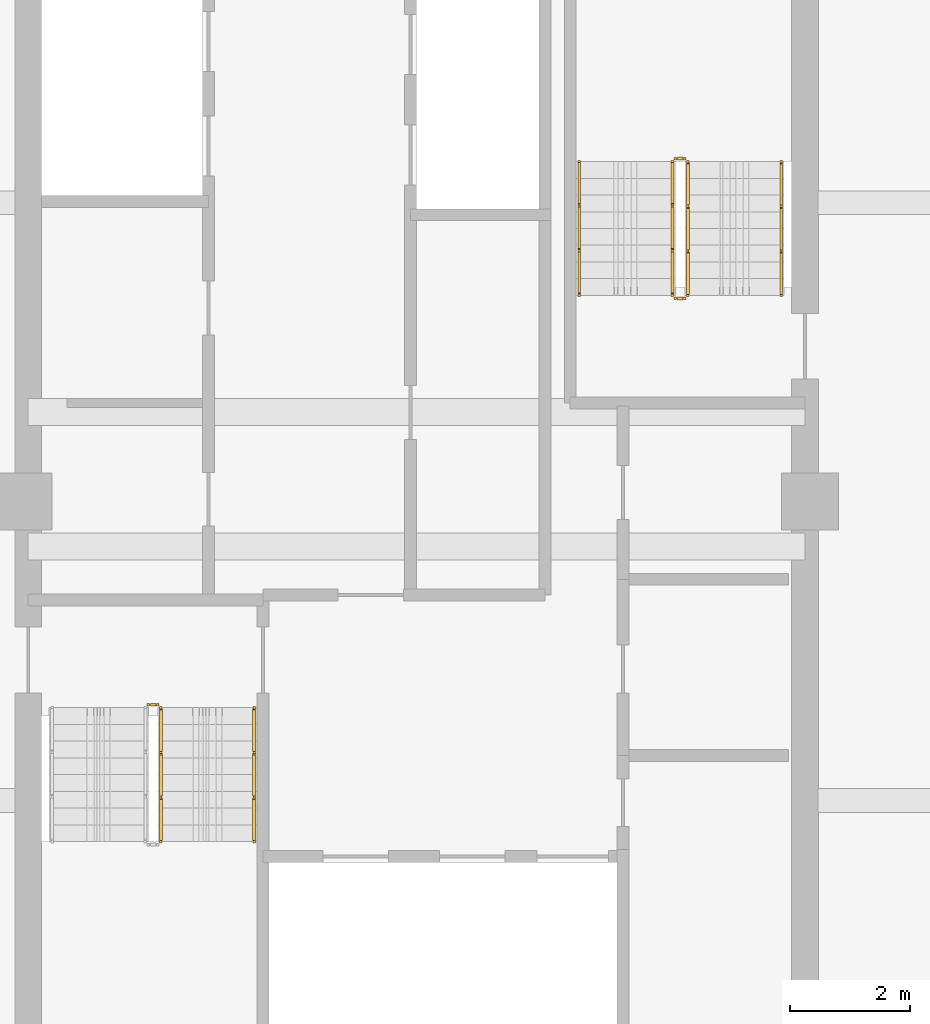
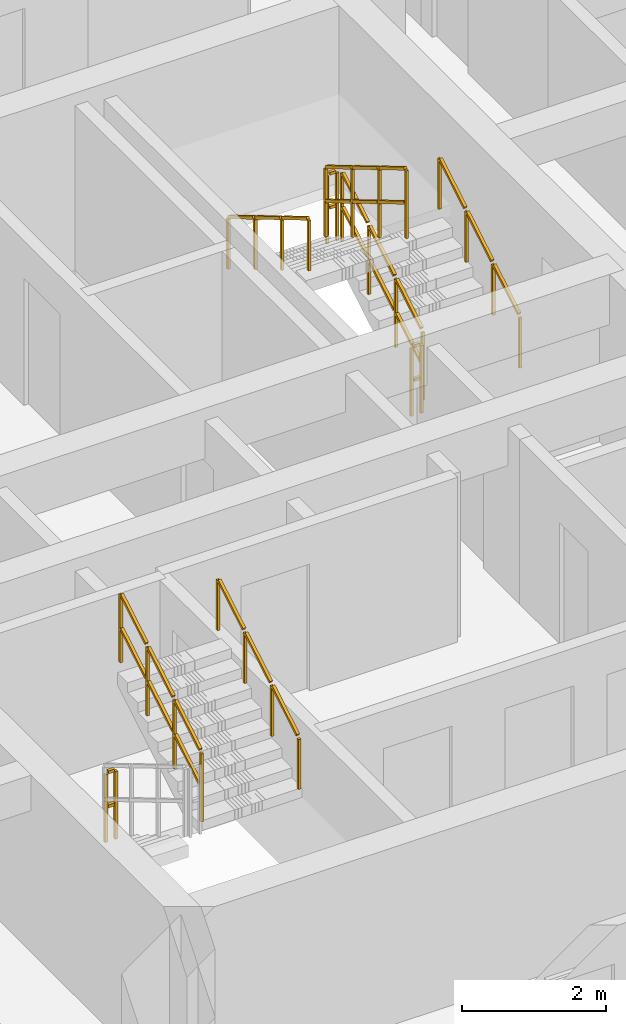
# One storey, part 12 of 14: 9 railings.
"""IFC4 building model written with IfcOpenShell, lengths in metres."""

from ifc_helpers import new_model, si_unit, direction, frame, origin, origin_2d, place, context, subcontext, project, spatial, rectangle, extrude, material, type_object, element, save


model = new_model("IFC4")

# Units and contexts
model_context = context("Model", 3, precision=1e-05, world=origin(), true_north=direction((0.0, 1.0)))
body_context = subcontext(model_context, "Body", "Model", "MODEL_VIEW")
ifc_project = project(units=[si_unit("LENGTHUNIT", "METRE"), si_unit("AREAUNIT", "SQUARE_METRE"), si_unit("VOLUMEUNIT", "CUBIC_METRE"), si_unit("PLANEANGLEUNIT", "RADIAN"), si_unit("MASSUNIT", "GRAM", prefix="KILO")], contexts=[model_context])

# Site, building, storey
site_placement = place(None, origin())
site = spatial("IfcSite", under=ifc_project, at=site_placement, CompositionType="ELEMENT")
building_placement = place(site_placement, origin())
building = spatial("IfcBuilding", under=site, at=building_placement, Name="Saelheon Loggia Tower", CompositionType="ELEMENT")
storey_placement = place(building_placement, frame((0.0, 0.0, 230.10009765625)))
storey = spatial("IfcBuildingStorey", under=building, at=storey_placement, Name="L71", CompositionType="ELEMENT", Elevation=230.10009765625)

# Railings
ifc_material_1 = material(Name="Galvanised Steel S275 Stairwell Guardrail", Category="steel")
railing_type_1 = type_object("IfcRailingType", Name="Guard_StairWell_RL_STG", PredefinedType="GUARDRAIL", material=ifc_material_1)
railing_1_placement = place(storey_placement, frame((33.719970703125, 21.31005859375, 1.66650390625)))
element("IfcRailing", 1, at=railing_1_placement, inside=storey, type_object=railing_type_1, Name="L71 ST1 stair guard 3", PredefinedType="GUARDRAIL", context=body_context, shape_type="SweptSolid", body=[
    extrude(rectangle(XDim=0.048095703125, YDim=0.048095703125, at=origin_2d()), frame((0.0, 0.028564453125, 1.19287109375), z_axis=(0.0, 0.859264461869, 0.511531606619), x_axis=(-1.0, 0.0, 0.0)), (0.0, 0.0, 1.0), 0.802490234375),
    extrude(rectangle(XDim=0.048095703125, YDim=0.048095703125, at=origin_2d()), frame((0.0, 0.028564453125, 0.616943359375), z_axis=(0.0, 0.859264461869, 0.511531606619), x_axis=(-1.0, 0.0, 0.0)), (0.0, 0.0, 1.0), 0.802490234375),
    extrude(rectangle(XDim=0.048095703125, YDim=0.048095703125, at=origin_2d()), frame((0.0, 0.775146484375, 1.637451171875), z_axis=(0.0, 0.859264461869, 0.511531606619), x_axis=(-1.0, 0.0, 0.0)), (0.0, 0.0, 1.0), 0.802490234375),
    extrude(rectangle(XDim=0.048095703125, YDim=0.048095703125, at=origin_2d()), frame((0.0, 0.775146484375, 1.0615234375), z_axis=(0.0, 0.859264461869, 0.511531606619), x_axis=(-1.0, 0.0, 0.0)), (0.0, 0.0, 1.0), 0.802490234375),
    extrude(rectangle(XDim=0.048095703125, YDim=0.048095703125, at=origin_2d()), frame((0.0, 1.52197265625, 2.081787109375), z_axis=(0.0, 0.859264461869, 0.511531606619), x_axis=(-1.0, 0.0, 0.0)), (0.0, 0.0, 1.0), 0.802490234375),
    extrude(rectangle(XDim=0.048095703125, YDim=0.048095703125, at=origin_2d()), frame((0.0, 1.52197265625, 1.505859375), z_axis=(0.0, 0.859264461869, 0.511531606619), x_axis=(-1.0, 0.0, 0.0)), (0.0, 0.0, 1.0), 0.802490234375),
    extrude(rectangle(XDim=0.0419921875, YDim=0.0419921875, at=origin_2d()), origin(), (0.0, 0.0, 1.0), 1.14794921875),
    extrude(rectangle(XDim=0.0419921875, YDim=0.0419921875, at=origin_2d()), frame((0.0, 0.74658203125, 0.444580078125)), (0.0, 0.0, 1.0), 1.14794921875),
    extrude(rectangle(XDim=0.0419921875, YDim=0.0419921875, at=origin_2d()), frame((0.0, 1.493408203125, 0.888916015625)), (0.0, 0.0, 1.0), 1.14794921875),
    extrude(rectangle(XDim=0.0419921875, YDim=0.0419921875, at=origin_2d()), frame((0.0, 2.239990234375, 1.33349609375)), (0.0, 0.0, 1.0), 1.14794921875),
])
railing_2_placement = place(storey_placement, frame((33.510009765625, 23.60009765625, 0.0)))
element("IfcRailing", 2, at=railing_2_placement, inside=storey, type_object=railing_type_1, Name="L71 ST1 stair guard 4", PredefinedType="GUARDRAIL", context=body_context, shape_type="SweptSolid", body=[
    extrude(rectangle(XDim=0.048095703125, YDim=0.048095703125, at=origin_2d()), frame((0.033203125, 0.0, 1.17578125), z_axis=(1.0, 0.0, 0.0), x_axis=(0.0, 1.0, 0.0)), (0.0, 0.0, 1.0), 0.093505859375),
    extrude(rectangle(XDim=0.048095703125, YDim=0.048095703125, at=origin_2d()), frame((0.033203125, 0.0, 0.60009765625), z_axis=(1.0, 0.0, 0.0), x_axis=(0.0, 1.0, 0.0)), (0.0, 0.0, 1.0), 0.093505859375),
    extrude(rectangle(XDim=0.0419921875, YDim=0.0419921875, at=origin_2d()), origin(), (0.0, 0.0, 1.0), 1.14794921875),
    extrude(rectangle(XDim=0.0419921875, YDim=0.0419921875, at=origin_2d()), frame((0.159912109375, 0.0, 0.0)), (0.0, 0.0, 1.0), 1.14794921875),
])
railing_3_placement = place(storey_placement, frame((42.5400390625, 30.449951171875, 0.16650390625)))
element("IfcRailing", 3, at=railing_3_placement, inside=storey, type_object=railing_type_1, Name="L71 ST2 stair guard 1", PredefinedType="GUARDRAIL", context=body_context, shape_type="SweptSolid", body=[
    extrude(rectangle(XDim=0.048095703125, YDim=0.048095703125, at=origin_2d()), frame((0.0, 0.028564453125, 1.19287109375), z_axis=(0.0, 0.859264461869, 0.511531606619), x_axis=(-1.0, 0.0, 0.0)), (0.0, 0.0, 1.0), 0.802490234375),
    extrude(rectangle(XDim=0.048095703125, YDim=0.048095703125, at=origin_2d()), frame((0.0, 0.028564453125, 0.616943359375), z_axis=(0.0, 0.859264461869, 0.511531606619), x_axis=(-1.0, 0.0, 0.0)), (0.0, 0.0, 1.0), 0.802490234375),
    extrude(rectangle(XDim=0.048095703125, YDim=0.048095703125, at=origin_2d()), frame((0.0, 0.775146484375, 1.637451171875), z_axis=(0.0, 0.859264461869, 0.511531606619), x_axis=(-1.0, 0.0, 0.0)), (0.0, 0.0, 1.0), 0.802490234375),
    extrude(rectangle(XDim=0.048095703125, YDim=0.048095703125, at=origin_2d()), frame((0.0, 0.775146484375, 1.0615234375), z_axis=(0.0, 0.859264461869, 0.511531606619), x_axis=(-1.0, 0.0, 0.0)), (0.0, 0.0, 1.0), 0.802490234375),
    extrude(rectangle(XDim=0.048095703125, YDim=0.048095703125, at=origin_2d()), frame((0.0, 1.52197265625, 2.081787109375), z_axis=(0.0, 0.859264461869, 0.511531606619), x_axis=(-1.0, 0.0, 0.0)), (0.0, 0.0, 1.0), 0.802490234375),
    extrude(rectangle(XDim=0.048095703125, YDim=0.048095703125, at=origin_2d()), frame((0.0, 1.52197265625, 1.505859375), z_axis=(0.0, 0.859264461869, 0.511531606619), x_axis=(-1.0, 0.0, 0.0)), (0.0, 0.0, 1.0), 0.802490234375),
    extrude(rectangle(XDim=0.0419921875, YDim=0.0419921875, at=origin_2d()), origin(), (0.0, 0.0, 1.0), 1.14794921875),
    extrude(rectangle(XDim=0.0419921875, YDim=0.0419921875, at=origin_2d()), frame((0.0, 0.74658203125, 0.444580078125)), (0.0, 0.0, 1.0), 1.14794921875),
    extrude(rectangle(XDim=0.0419921875, YDim=0.0419921875, at=origin_2d()), frame((0.0, 1.493408203125, 0.888916015625)), (0.0, 0.0, 1.0), 1.14794921875),
    extrude(rectangle(XDim=0.0419921875, YDim=0.0419921875, at=origin_2d()), frame((0.0, 2.239990234375, 1.33349609375)), (0.0, 0.0, 1.0), 1.14794921875),
])
railing_4_placement = place(storey_placement, frame((42.489990234375, 32.739990234375, 1.5)))
element("IfcRailing", 4, at=railing_4_placement, inside=storey, type_object=railing_type_1, Name="L71 ST2 stair guard 2", PredefinedType="GUARDRAIL", context=body_context, shape_type="SweptSolid", body=[
    extrude(rectangle(XDim=0.048095703125, YDim=0.048095703125, at=origin_2d()), frame((-0.033203125, 0.0, 1.17578125), z_axis=(-1.0, 0.0, 0.0), x_axis=(0.0, -1.0, 0.0)), (0.0, 0.0, 1.0), 0.093505859375),
    extrude(rectangle(XDim=0.048095703125, YDim=0.048095703125, at=origin_2d()), frame((-0.033203125, 0.0, 0.60009765625), z_axis=(-1.0, 0.0, 0.0), x_axis=(0.0, -1.0, 0.0)), (0.0, 0.0, 1.0), 0.093505859375),
    extrude(rectangle(XDim=0.0419921875, YDim=0.0419921875, at=origin_2d()), origin(), (0.0, 0.0, 1.0), 1.14794921875),
    extrude(rectangle(XDim=0.0419921875, YDim=0.0419921875, at=origin_2d()), frame((-0.159912109375, 0.0, 0.0)), (0.0, 0.0, 1.0), 1.14794921875),
])
railing_5_placement = place(storey_placement, frame((42.280029296875, 32.68994140625, 1.66650390625)))
element("IfcRailing", 5, at=railing_5_placement, inside=storey, type_object=railing_type_1, Name="L71 ST2 stair guard 3", PredefinedType="GUARDRAIL", context=body_context, shape_type="SweptSolid", body=[
    extrude(rectangle(XDim=0.048095703125, YDim=0.048095703125, at=origin_2d()), frame((0.0, -0.028564453125, 1.19287109375), z_axis=(0.0, -0.859264461869, 0.511531606619), x_axis=(1.0, 0.0, 0.0)), (0.0, 0.0, 1.0), 0.802490234375),
    extrude(rectangle(XDim=0.048095703125, YDim=0.048095703125, at=origin_2d()), frame((0.0, -0.028564453125, 0.616943359375), z_axis=(0.0, -0.859264461869, 0.511531606619), x_axis=(1.0, 0.0, 0.0)), (0.0, 0.0, 1.0), 0.802490234375),
    extrude(rectangle(XDim=0.048095703125, YDim=0.048095703125, at=origin_2d()), frame((0.0, -0.775146484375, 1.637451171875), z_axis=(0.0, -0.859264461869, 0.511531606619), x_axis=(1.0, 0.0, 0.0)), (0.0, 0.0, 1.0), 0.802490234375),
    extrude(rectangle(XDim=0.048095703125, YDim=0.048095703125, at=origin_2d()), frame((0.0, -0.775146484375, 1.0615234375), z_axis=(0.0, -0.859264461869, 0.511531606619), x_axis=(1.0, 0.0, 0.0)), (0.0, 0.0, 1.0), 0.802490234375),
    extrude(rectangle(XDim=0.048095703125, YDim=0.048095703125, at=origin_2d()), frame((0.0, -1.52197265625, 2.081787109375), z_axis=(0.0, -0.859264461869, 0.511531606619), x_axis=(1.0, 0.0, 0.0)), (0.0, 0.0, 1.0), 0.802490234375),
    extrude(rectangle(XDim=0.048095703125, YDim=0.048095703125, at=origin_2d()), frame((0.0, -1.52197265625, 1.505859375), z_axis=(0.0, -0.859264461869, 0.511531606619), x_axis=(1.0, 0.0, 0.0)), (0.0, 0.0, 1.0), 0.802490234375),
    extrude(rectangle(XDim=0.0419921875, YDim=0.0419921875, at=origin_2d()), origin(), (0.0, 0.0, 1.0), 1.14794921875),
    extrude(rectangle(XDim=0.0419921875, YDim=0.0419921875, at=origin_2d()), frame((0.0, -0.74658203125, 0.444580078125)), (0.0, 0.0, 1.0), 1.14794921875),
    extrude(rectangle(XDim=0.0419921875, YDim=0.0419921875, at=origin_2d()), frame((0.0, -1.493408203125, 0.888916015625)), (0.0, 0.0, 1.0), 1.14794921875),
    extrude(rectangle(XDim=0.0419921875, YDim=0.0419921875, at=origin_2d()), frame((0.0, -2.239990234375, 1.33349609375)), (0.0, 0.0, 1.0), 1.14794921875),
])
railing_6_placement = place(storey_placement, frame((42.489990234375, 30.39990234375, 0.0)))
element("IfcRailing", 6, at=railing_6_placement, inside=storey, type_object=railing_type_1, Name="L71 ST2 stair guard 4", PredefinedType="GUARDRAIL", context=body_context, shape_type="SweptSolid", body=[
    extrude(rectangle(XDim=0.048095703125, YDim=0.048095703125, at=origin_2d()), frame((-0.033203125, 0.0, 1.17578125), z_axis=(-1.0, 0.0, 0.0), x_axis=(0.0, -1.0, 0.0)), (0.0, 0.0, 1.0), 0.093505859375),
    extrude(rectangle(XDim=0.048095703125, YDim=0.048095703125, at=origin_2d()), frame((-0.033203125, 0.0, 0.60009765625), z_axis=(-1.0, 0.0, 0.0), x_axis=(0.0, -1.0, 0.0)), (0.0, 0.0, 1.0), 0.093505859375),
    extrude(rectangle(XDim=0.0419921875, YDim=0.0419921875, at=origin_2d()), origin(), (0.0, 0.0, 1.0), 1.14794921875),
    extrude(rectangle(XDim=0.0419921875, YDim=0.0419921875, at=origin_2d()), frame((-0.159912109375, 0.0, 0.0)), (0.0, 0.0, 1.0), 1.14794921875),
])
ifc_material_2 = material(Name="Stainless Steel 304 Tubular Handrail", Category="steel")
railing_type_2 = type_object("IfcRailingType", Name="Handrail_Stair_RL_HR1", PredefinedType="HANDRAIL", material=ifc_material_2)
for number, where, name in (
    (7, (35.280029296875, 21.31005859375, 1.66650390625), "L71 ST1 stair handrail 2"),
    (8, (44.10009765625, 30.449951171875, 0.16650390625), "L71 ST2 stair handrail 1"),
):
    element("IfcRailing", number, at=place(storey_placement, frame(where)), inside=storey, type_object=railing_type_2, Name=name, PredefinedType="HANDRAIL", context=body_context, shape_type="SweptSolid", body=[
        extrude(rectangle(XDim=0.048095703125, YDim=0.048095703125, at=origin_2d()), frame((0.0, 0.028564453125, 0.892822265625), z_axis=(0.0, 0.859264461869, 0.511531606619), x_axis=(-1.0, 0.0, 0.0)), (0.0, 0.0, 1.0), 0.802490234375),
        extrude(rectangle(XDim=0.048095703125, YDim=0.048095703125, at=origin_2d()), frame((0.0, 0.775146484375, 1.33740234375), z_axis=(0.0, 0.859264461869, 0.511531606619), x_axis=(-1.0, 0.0, 0.0)), (0.0, 0.0, 1.0), 0.802490234375),
        extrude(rectangle(XDim=0.048095703125, YDim=0.048095703125, at=origin_2d()), frame((0.0, 1.52197265625, 1.78173828125), z_axis=(0.0, 0.859264461869, 0.511531606619), x_axis=(-1.0, 0.0, 0.0)), (0.0, 0.0, 1.0), 0.802490234375),
        extrude(rectangle(XDim=0.0419921875, YDim=0.0419921875, at=origin_2d()), origin(), (0.0, 0.0, 1.0), 0.847900390625),
        extrude(rectangle(XDim=0.0419921875, YDim=0.0419921875, at=origin_2d()), frame((0.0, 0.74658203125, 0.444580078125)), (0.0, 0.0, 1.0), 0.847900390625),
        extrude(rectangle(XDim=0.0419921875, YDim=0.0419921875, at=origin_2d()), frame((0.0, 1.493408203125, 0.888916015625)), (0.0, 0.0, 1.0), 0.847900390625),
        extrude(rectangle(XDim=0.0419921875, YDim=0.0419921875, at=origin_2d()), frame((0.0, 2.239990234375, 1.33349609375)), (0.0, 0.0, 1.0), 0.847900390625),
    ])
railing_7_placement = place(storey_placement, frame((40.719970703125, 32.68994140625, 1.66650390625)))
element("IfcRailing", 9, at=railing_7_placement, inside=storey, type_object=railing_type_2, Name="L71 ST2 stair handrail 2", PredefinedType="HANDRAIL", context=body_context, shape_type="SweptSolid", body=[
    extrude(rectangle(XDim=0.048095703125, YDim=0.048095703125, at=origin_2d()), frame((0.0, -0.028564453125, 0.892822265625), z_axis=(0.0, -0.859264461869, 0.511531606619), x_axis=(1.0, 0.0, 0.0)), (0.0, 0.0, 1.0), 0.802490234375),
    extrude(rectangle(XDim=0.048095703125, YDim=0.048095703125, at=origin_2d()), frame((0.0, -0.775146484375, 1.33740234375), z_axis=(0.0, -0.859264461869, 0.511531606619), x_axis=(1.0, 0.0, 0.0)), (0.0, 0.0, 1.0), 0.802490234375),
    extrude(rectangle(XDim=0.048095703125, YDim=0.048095703125, at=origin_2d()), frame((0.0, -1.52197265625, 1.78173828125), z_axis=(0.0, -0.859264461869, 0.511531606619), x_axis=(1.0, 0.0, 0.0)), (0.0, 0.0, 1.0), 0.802490234375),
    extrude(rectangle(XDim=0.0419921875, YDim=0.0419921875, at=origin_2d()), origin(), (0.0, 0.0, 1.0), 0.847900390625),
    extrude(rectangle(XDim=0.0419921875, YDim=0.0419921875, at=origin_2d()), frame((0.0, -0.74658203125, 0.444580078125)), (0.0, 0.0, 1.0), 0.847900390625),
    extrude(rectangle(XDim=0.0419921875, YDim=0.0419921875, at=origin_2d()), frame((0.0, -1.493408203125, 0.888916015625)), (0.0, 0.0, 1.0), 0.847900390625),
    extrude(rectangle(XDim=0.0419921875, YDim=0.0419921875, at=origin_2d()), frame((0.0, -2.239990234375, 1.33349609375)), (0.0, 0.0, 1.0), 0.847900390625),
])

save(model, "model.ifc")
